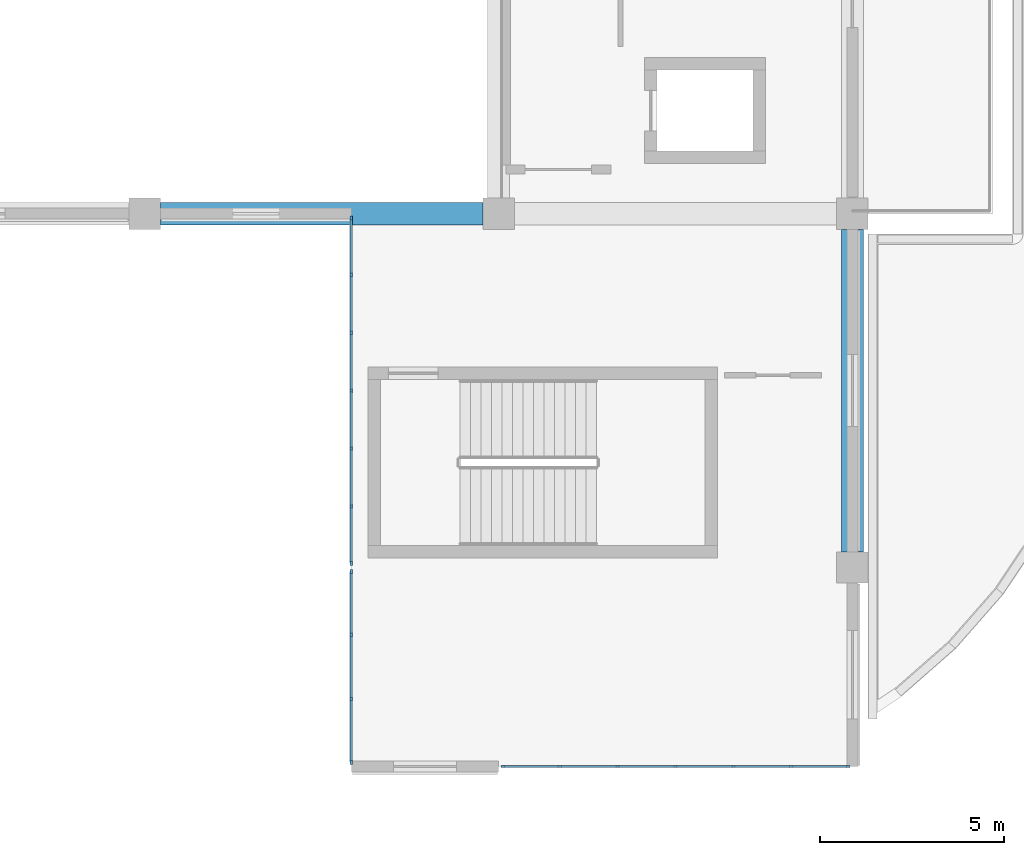
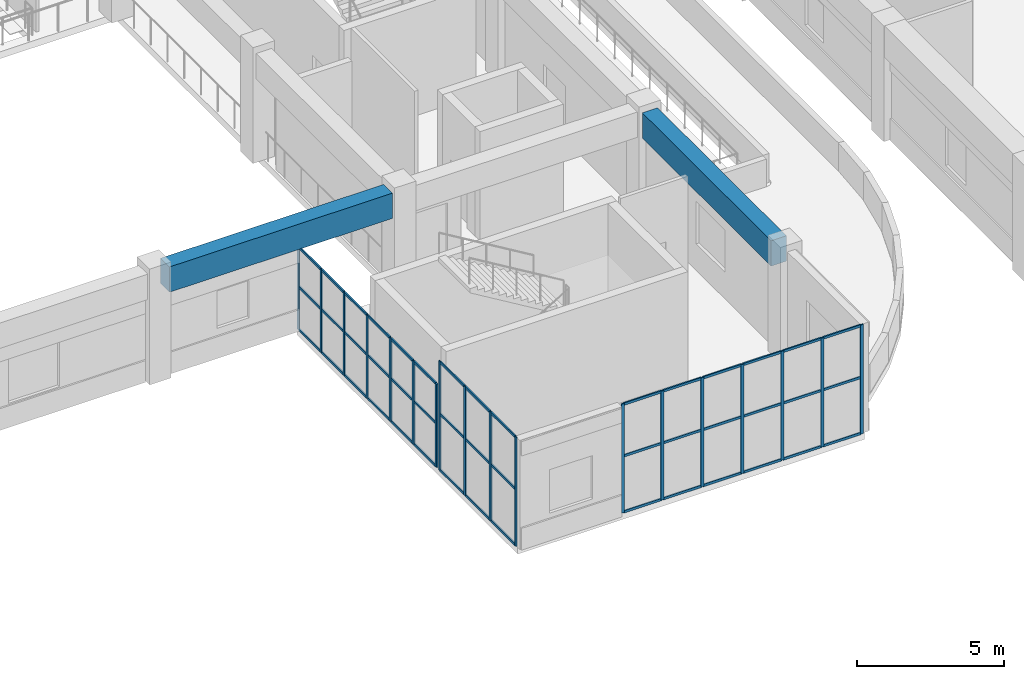
# One storey, part 6 of 67: 63 members, 2 beams, 3 elements without a shape of their own.
"""IFC4 building model written with IfcOpenShell, lengths in metres."""

import ifcopenshell
import ifcopenshell.guid

model = None  # the IFC model being written
_history = None  # IfcOwnerHistory: only IFC2X3 demands one
_inside = {}  # id of a spatial element -> (the spatial element, [elements in it])
_under = {}  # id of a project, library or spatial element -> (it, [spatial elements below it])
_declared = {}  # id of a project -> (the project, [libraries it declares])
_typed = {}  # id of a type object -> (the type object, [elements of that type])
_made_of = {}  # id of a material, layer set ... -> (it, [elements and type objects made of it])


def new_model(schema):
    """Start an empty IFC model of exactly this schema.

    Asked for "IFC4X3", IfcOpenShell would pick the latest addendum, in which some entities
    have other attributes; the version numbers below select the first issue.
    IFC2X3 requires an IfcOwnerHistory on every rooted entity: one is made here for all.
    """
    global model, _history
    if schema == "IFC4X3":
        model = ifcopenshell.file(schema_version=(4, 3, 0, 0))
    else:
        model = ifcopenshell.file(schema=schema)
    _inside.clear()
    _under.clear()
    _declared.clear()
    _typed.clear()
    _made_of.clear()
    _history = None
    if model.schema == "IFC2X3":
        org = make("IfcOrganization", Name="unknown")
        user = make(
            "IfcPersonAndOrganization",
            ThePerson=make("IfcPerson", FamilyName="unknown"),
            TheOrganization=org,
        )
        app = make(
            "IfcApplication",
            ApplicationDeveloper=org,
            Version="unknown",
            ApplicationFullName="unknown",
            ApplicationIdentifier="unknown",
        )
        _history = make(
            "IfcOwnerHistory",
            OwningUser=user,
            OwningApplication=app,
            ChangeAction="ADDED",
            CreationDate=0,
        )
    return model


def make(cls, **values):
    """One entity of the class cls with the attributes given. An attribute that is None is left unset."""
    return model.create_entity(
        cls, **{name: value for name, value in values.items() if value is not None}
    )


def rooted(cls, **values):
    """An entity with a GlobalId (a new one), such as an element, a storey or a relation."""
    return make(cls, GlobalId=ifcopenshell.guid.new(), OwnerHistory=_history, **values)


def si_unit(unit_type, name, prefix=None):
    """IfcSIUnit, for example si_unit("LENGTHUNIT", "METRE", prefix="MILLI")."""
    return make("IfcSIUnit", UnitType=unit_type, Prefix=prefix, Name=name)


def assignment(units):
    """IfcUnitAssignment: the units of a project."""
    return None if units is None else make("IfcUnitAssignment", Units=units)


def point(xyz):
    """IfcCartesianPoint."""
    return None if xyz is None else make("IfcCartesianPoint", Coordinates=xyz)


def direction(xyz):
    """IfcDirection."""
    return None if xyz is None else make("IfcDirection", DirectionRatios=xyz)


def frame(location, z_axis=None, x_axis=None):
    """IfcAxis2Placement3D, a coordinate frame: its origin and axes. An axis left out is left unset."""
    return make(
        "IfcAxis2Placement3D",
        Location=point(location),
        Axis=direction(z_axis),
        RefDirection=direction(x_axis),
    )


def frame_2d(location, x_axis=None):
    """IfcAxis2Placement2D, a coordinate frame in the plane: its origin and x axis."""
    return make(
        "IfcAxis2Placement2D", Location=point(location), RefDirection=direction(x_axis)
    )


def origin():
    """The frame at (0, 0, 0) with its axes left unset."""
    return frame((0.0, 0.0, 0.0))


def origin_2d():
    """The frame at (0, 0) in the plane with its x axis left unset."""
    return frame_2d((0.0, 0.0))


def place(relative_to, where):
    """IfcLocalPlacement: puts the frame where relative to a parent placement (None: the world)."""
    return make(
        "IfcLocalPlacement", PlacementRelTo=relative_to, RelativePlacement=where
    )


def context(
    kind, dimensions, precision=None, world=None, true_north=None, identifier=None
):
    """IfcGeometricRepresentationContext, for example the 3D "Model" context."""
    return make(
        "IfcGeometricRepresentationContext",
        ContextIdentifier=identifier,
        ContextType=kind,
        CoordinateSpaceDimension=dimensions,
        Precision=precision,
        WorldCoordinateSystem=world,
        TrueNorth=true_north,
    )


def subcontext(parent, identifier, kind, view, scale=None):
    """IfcGeometricRepresentationSubContext, for example "Body" below "Model"."""
    return make(
        "IfcGeometricRepresentationSubContext",
        ContextIdentifier=identifier,
        ContextType=kind,
        ParentContext=parent,
        TargetScale=scale,
        TargetView=view,
    )


def project(units=None, contexts=None):
    """IfcProject with its units and contexts."""
    return rooted(
        "IfcProject",
        Name="project",
        RepresentationContexts=contexts,
        UnitsInContext=assignment(units),
    )


def spatial(cls, under=None, at=None, **own):
    """A site, building, storey or space (cls), placed at a placement, below another one or the project."""
    s = rooted(cls, ObjectPlacement=at, **own)
    if under is not None:
        _under.setdefault(under.id(), (under, []))[1].append(s)
    return s


def profile(cls, at=None, kind="AREA", **sizes):
    """A parametric profile (cls). Its sizes go by their IFC names, for example OverallWidth=200.0."""
    return make(cls, ProfileType=kind, Position=at, **sizes)


def rectangle(**sizes):
    """IfcRectangleProfileDef."""
    return profile("IfcRectangleProfileDef", **sizes)


def extrude(swept, where, along, depth):
    """IfcExtrudedAreaSolid: the profile swept, set in the frame where, extruded along a direction by depth."""
    return make(
        "IfcExtrudedAreaSolid",
        SweptArea=swept,
        Position=where,
        ExtrudedDirection=direction(along),
        Depth=depth,
    )


def shape(context_of_items, identifier, shape_type, items):
    """IfcShapeRepresentation: the items that make up one representation, for example the "Body"."""
    return make(
        "IfcShapeRepresentation",
        ContextOfItems=context_of_items,
        RepresentationIdentifier=identifier,
        RepresentationType=shape_type,
        Items=items,
    )


def material(Name=None, Category=None):
    """IfcMaterial."""
    return make("IfcMaterial", Name=Name, Category=Category)


def layer(
    of_material, thickness, ventilated=None, Name=None, Category=None, Priority=None
):
    """IfcMaterialLayer: one layer of a wall or slab, of a material (None: an air gap)."""
    return make(
        "IfcMaterialLayer",
        Material=of_material,
        LayerThickness=thickness,
        IsVentilated=ventilated,
        Name=Name,
        Category=Category,
        Priority=Priority,
    )


def layer_set(layers, Name=None):
    """IfcMaterialLayerSet."""
    return make("IfcMaterialLayerSet", MaterialLayers=layers, LayerSetName=Name)


def material_profile(
    of_material, cross_section, Name=None, Category=None, Priority=None
):
    """IfcMaterialProfile: a cross section and its material."""
    return make(
        "IfcMaterialProfile",
        Name=Name,
        Material=of_material,
        Profile=cross_section,
        Priority=Priority,
        Category=Category,
    )


def profile_set(profiles, Name=None, composite=None):
    """IfcMaterialProfileSet."""
    return make(
        "IfcMaterialProfileSet",
        Name=Name,
        MaterialProfiles=profiles,
        CompositeProfile=composite,
    )


def made_of(thing, what):
    """Note that an element or type object is made of a material, layer set ...; save() writes the relation."""
    if what is not None:
        _made_of.setdefault(what.id(), (what, []))[1].append(thing)
    return thing


def type_object(cls, material=None, **own):
    """A type object (cls), such as IfcWallType, which elements share."""
    return made_of(rooted(cls, **own), material)


def element(
    cls,
    number,
    at=None,
    inside=None,
    cuts=None,
    type_object=None,
    material=None,
    context=None,
    identifier="Body",
    shape_type=None,
    held_by="IfcProductDefinitionShape",
    body=None,
    shapes=None,
    **own,
):
    """One element of the class cls, such as IfcWall. Its Tag is "e" and its number.

    at: its placement. inside: the storey or other place that contains it. cuts: it is an
    opening in that element (IfcRelVoidsElement). A single representation is given by context,
    identifier, shape_type and body (its items); several are given by shapes. held_by: the class
    of the entity that holds the representations. save() writes the other relations.
    """
    e = rooted(cls, Tag="e%d" % number, ObjectPlacement=at, **own)
    if body is not None:
        shapes = [shape(context, identifier, shape_type, body)]
    if shapes is not None:
        e.Representation = make(held_by, Representations=shapes)
    if inside is not None:
        _inside.setdefault(inside.id(), (inside, []))[1].append(e)
    if cuts is not None:
        rooted(
            "IfcRelVoidsElement", RelatingBuildingElement=cuts, RelatedOpeningElement=e
        )
    if type_object is not None:
        _typed.setdefault(type_object.id(), (type_object, []))[1].append(e)
    return made_of(e, material)


def aggregate(whole, parts):
    """IfcRelAggregates: a whole, such as a stair, and the parts it consists of."""
    return rooted("IfcRelAggregates", RelatingObject=whole, RelatedObjects=parts)


def save(model, path):
    """Write the relations noted so far, then the file.

    IfcRelAggregates (storeys below a building ...), IfcRelContainedInSpatialStructure (elements
    in a storey), IfcRelDefinesByType, IfcRelAssociatesMaterial and IfcRelDeclares: one each for
    every whole, place, type object, material and project.
    """
    for whole, parts in _under.values():
        aggregate(whole, parts)
    for where, things in _inside.values():
        rooted(
            "IfcRelContainedInSpatialStructure",
            RelatedElements=things,
            RelatingStructure=where,
        )
    for kind, things in _typed.values():
        rooted("IfcRelDefinesByType", RelatedObjects=things, RelatingType=kind)
    for what, things in _made_of.values():
        rooted("IfcRelAssociatesMaterial", RelatedObjects=things, RelatingMaterial=what)
    for by, libraries in _declared.values():
        rooted("IfcRelDeclares", RelatingContext=by, RelatedDefinitions=libraries)
    model.write(path)


model = new_model("IFC4")

# Units and contexts
model_context = context("Model", 3, precision=1e-05, world=origin(), true_north=direction((0.0, 1.0)))
body_context = subcontext(model_context, "Body", "Model", "MODEL_VIEW")
ifc_project = project(units=[si_unit("LENGTHUNIT", "METRE"), si_unit("AREAUNIT", "SQUARE_METRE"), si_unit("VOLUMEUNIT", "CUBIC_METRE"), si_unit("PLANEANGLEUNIT", "RADIAN"), si_unit("MASSUNIT", "GRAM", prefix="KILO")], contexts=[model_context])

# Site, building, storey
site_placement = place(None, origin())
site = spatial("IfcSite", under=ifc_project, at=site_placement, CompositionType="ELEMENT")
building_placement = place(site_placement, origin())
building = spatial("IfcBuilding", under=site, at=building_placement, Name="Cendralis Terraced Arcade", CompositionType="ELEMENT")
storey_placement = place(building_placement, frame((0.0, 0.0, 15.0)))
storey = spatial("IfcBuildingStorey", under=building, at=storey_placement, Name="L03", CompositionType="ELEMENT", Elevation=15.0)

# Beams
ifc_material_1 = material(Name="Concrete f'c 35 MPa", Category="concrete")
ifc_material_profile_1 = material_profile(ifc_material_1, rectangle(XDim=0.60009765625, YDim=1.050048828125, at=origin_2d()), Name="RC-BM-600x1050", Category="LoadBearing")
ifc_profile_set_1 = profile_set([ifc_material_profile_1], Name="Concrete f'c 35 MPa")
beam_type = type_object("IfcBeamType", Name="BM-600x1050", PredefinedType="JOIST", material=ifc_profile_set_1)
for number, where, z_axis, x_axis, name in (
    (1, (38.824951171875, 19.199951171875, 3.9951171875), (1.0, 0.0, 0.0), (0.0, 1.0, 0.0), "Reinforced Concrete Frame Beam BM-X-L04-C-5_6"),
    (2, (57.60009765625, 10.02490234375, 3.9951171875), (0.0, 1.0, 0.0), (-1.0, 0.0, 0.0), "Reinforced Concrete Frame Beam BM-Y-L04-7-B_C"),
):
    element("IfcBeam", number, at=place(storey_placement, frame(where, z_axis=z_axis, x_axis=x_axis)), inside=storey, type_object=beam_type, Name=name, PredefinedType="JOIST", context=body_context, shape_type="SweptSolid", body=[
        extrude(rectangle(XDim=0.60009765625, YDim=1.050048828125, at=origin_2d()), origin(), (0.0, 0.0, 1.0), 8.75),
    ])

# Curtain wall, members
ifc_material_2 = material(Name="Anodised aluminium EN AW-6063 T6", Category="aluminium")
ifc_layer = layer(ifc_material_2, 0.1201171875, Name="CW-STORE-B")
ifc_layer_set = layer_set([ifc_layer], Name="Anodised aluminium EN AW-6063 T6")
curtain_wall_type = type_object("IfcCurtainWallType", Name="CW-STORE-B", PredefinedType="USERDEFINED", material=ifc_layer_set)
curtain_wall_1_placement = place(storey_placement, origin())
curtain_wall_1 = element("IfcCurtainWall", 3, at=curtain_wall_1_placement, inside=storey, type_object=curtain_wall_type, Name="Exterior Storefront Glazing CW-L03-0280", ObjectType="STOREFRONT GLAZING", PredefinedType="USERDEFINED")
ifc_material_profile_2 = material_profile(ifc_material_2, rectangle(XDim=0.054931640625, YDim=0.1201171875, at=origin_2d()), Name="ALU-MUL-55x120")
ifc_profile_set_2 = profile_set([ifc_material_profile_2], Name="Anodised aluminium EN AW-6063 T6")
member_type_1 = type_object("IfcMemberType", Name="CW-STORE-B-MUL", PredefinedType="MULLION", material=ifc_profile_set_2)
member_1_placement = place(storey_placement, frame((57.482421875, 4.199951171875, 0.0), z_axis=(0.0, 0.0, 1.0), x_axis=(0.0, -1.0, 0.0)))
member_1 = element("IfcMember", 4, at=member_1_placement, type_object=member_type_1, Name="CW-S2 mullion 1", PredefinedType="MULLION", context=body_context, shape_type="SweptSolid", body=[
    extrude(rectangle(XDim=0.054931640625, YDim=0.1201171875, at=origin_2d()), origin(), (0.0, 0.0, 1.0), 4.52001953125),
])
member_2_placement = place(storey_placement, frame((55.93994140625, 4.199951171875, 0.0), z_axis=(0.0, 0.0, 1.0), x_axis=(0.0, -1.0, 0.0)))
member_2 = element("IfcMember", 5, at=member_2_placement, type_object=member_type_1, Name="CW-S2 mullion 2", PredefinedType="MULLION", context=body_context, shape_type="SweptSolid", body=[
    extrude(rectangle(XDim=0.054931640625, YDim=0.1201171875, at=origin_2d()), origin(), (0.0, 0.0, 1.0), 4.52001953125),
])
member_3_placement = place(storey_placement, frame((54.3701171875, 4.199951171875, 0.0), z_axis=(0.0, 0.0, 1.0), x_axis=(0.0, -1.0, 0.0)))
member_3 = element("IfcMember", 6, at=member_3_placement, type_object=member_type_1, Name="CW-S2 mullion 3", PredefinedType="MULLION", context=body_context, shape_type="SweptSolid", body=[
    extrude(rectangle(XDim=0.054931640625, YDim=0.1201171875, at=origin_2d()), origin(), (0.0, 0.0, 1.0), 4.52001953125),
])
member_4_placement = place(storey_placement, frame((52.800048828125, 4.199951171875, 0.0), z_axis=(0.0, 0.0, 1.0), x_axis=(0.0, -1.0, 0.0)))
member_4 = element("IfcMember", 7, at=member_4_placement, type_object=member_type_1, Name="CW-S2 mullion 4", PredefinedType="MULLION", context=body_context, shape_type="SweptSolid", body=[
    extrude(rectangle(XDim=0.054931640625, YDim=0.1201171875, at=origin_2d()), origin(), (0.0, 0.0, 1.0), 4.52001953125),
])
member_5_placement = place(storey_placement, frame((51.22998046875, 4.199951171875, 0.0), z_axis=(0.0, 0.0, 1.0), x_axis=(0.0, -1.0, 0.0)))
member_5 = element("IfcMember", 8, at=member_5_placement, type_object=member_type_1, Name="CW-S2 mullion 5", PredefinedType="MULLION", context=body_context, shape_type="SweptSolid", body=[
    extrude(rectangle(XDim=0.054931640625, YDim=0.1201171875, at=origin_2d()), origin(), (0.0, 0.0, 1.0), 4.52001953125),
])
member_6_placement = place(storey_placement, frame((49.659912109375, 4.199951171875, 0.0), z_axis=(0.0, 0.0, 1.0), x_axis=(0.0, -1.0, 0.0)))
member_6 = element("IfcMember", 9, at=member_6_placement, type_object=member_type_1, Name="CW-S2 mullion 6", PredefinedType="MULLION", context=body_context, shape_type="SweptSolid", body=[
    extrude(rectangle(XDim=0.054931640625, YDim=0.1201171875, at=origin_2d()), origin(), (0.0, 0.0, 1.0), 4.52001953125),
])
member_7_placement = place(storey_placement, frame((48.117431640625, 4.199951171875, 0.0), z_axis=(0.0, 0.0, 1.0), x_axis=(0.0, -1.0, 0.0)))
member_7 = element("IfcMember", 10, at=member_7_placement, type_object=member_type_1, Name="CW-S2 mullion 7", PredefinedType="MULLION", context=body_context, shape_type="SweptSolid", body=[
    extrude(rectangle(XDim=0.054931640625, YDim=0.1201171875, at=origin_2d()), origin(), (0.0, 0.0, 1.0), 4.52001953125),
])

curtain_wall_2_placement = place(storey_placement, origin())
curtain_wall_2 = element("IfcCurtainWall", 11, at=curtain_wall_2_placement, inside=storey, type_object=curtain_wall_type, Name="Exterior Storefront Glazing CW-L03-0281", ObjectType="STOREFRONT GLAZING", PredefinedType="USERDEFINED")
member_8_placement = place(storey_placement, frame((44.0, 4.3173828125, 0.0), z_axis=(0.0, 0.0, 1.0), x_axis=(-1.0, 0.0, 0.0)))
member_8 = element("IfcMember", 12, at=member_8_placement, type_object=member_type_1, Name="CW-S2 mullion 1", PredefinedType="MULLION", context=body_context, shape_type="SweptSolid", body=[
    extrude(rectangle(XDim=0.054931640625, YDim=0.1201171875, at=origin_2d()), origin(), (0.0, 0.0, 1.0), 4.52001953125),
])
member_9_placement = place(storey_placement, frame((44.0, 6.030029296875, 0.0), z_axis=(0.0, 0.0, 1.0), x_axis=(-1.0, 0.0, 0.0)))
member_9 = element("IfcMember", 13, at=member_9_placement, type_object=member_type_1, Name="CW-S2 mullion 2", PredefinedType="MULLION", context=body_context, shape_type="SweptSolid", body=[
    extrude(rectangle(XDim=0.054931640625, YDim=0.1201171875, at=origin_2d()), origin(), (0.0, 0.0, 1.0), 4.52001953125),
])
member_10_placement = place(storey_placement, frame((44.0, 7.77001953125, 0.0), z_axis=(0.0, 0.0, 1.0), x_axis=(-1.0, 0.0, 0.0)))
member_10 = element("IfcMember", 14, at=member_10_placement, type_object=member_type_1, Name="CW-S2 mullion 3", PredefinedType="MULLION", context=body_context, shape_type="SweptSolid", body=[
    extrude(rectangle(XDim=0.054931640625, YDim=0.1201171875, at=origin_2d()), origin(), (0.0, 0.0, 1.0), 4.52001953125),
])
member_11_placement = place(storey_placement, frame((44.0, 9.482421875, 0.0), z_axis=(0.0, 0.0, 1.0), x_axis=(-1.0, 0.0, 0.0)))
member_11 = element("IfcMember", 15, at=member_11_placement, type_object=member_type_1, Name="CW-S2 mullion 4", PredefinedType="MULLION", context=body_context, shape_type="SweptSolid", body=[
    extrude(rectangle(XDim=0.054931640625, YDim=0.1201171875, at=origin_2d()), origin(), (0.0, 0.0, 1.0), 4.52001953125),
])

curtain_wall_3_placement = place(storey_placement, origin())
curtain_wall_3 = element("IfcCurtainWall", 16, at=curtain_wall_3_placement, inside=storey, type_object=curtain_wall_type, Name="Exterior Storefront Glazing CW-L03-0282", ObjectType="STOREFRONT GLAZING", PredefinedType="USERDEFINED")
member_12_placement = place(storey_placement, frame((44.0, 9.717529296875, 0.0), z_axis=(0.0, 0.0, 1.0), x_axis=(-1.0, 0.0, 0.0)))
member_12 = element("IfcMember", 17, at=member_12_placement, type_object=member_type_1, Name="CW-S2 mullion 1", PredefinedType="MULLION", context=body_context, shape_type="SweptSolid", body=[
    extrude(rectangle(XDim=0.054931640625, YDim=0.1201171875, at=origin_2d()), origin(), (0.0, 0.0, 1.0), 3.4599609375),
])
member_13_placement = place(storey_placement, frame((44.0, 11.260009765625, 0.0), z_axis=(0.0, 0.0, 1.0), x_axis=(-1.0, 0.0, 0.0)))
member_13 = element("IfcMember", 18, at=member_13_placement, type_object=member_type_1, Name="CW-S2 mullion 2", PredefinedType="MULLION", context=body_context, shape_type="SweptSolid", body=[
    extrude(rectangle(XDim=0.054931640625, YDim=0.1201171875, at=origin_2d()), origin(), (0.0, 0.0, 1.0), 3.4599609375),
])
member_14_placement = place(storey_placement, frame((44.0, 12.830078125, 0.0), z_axis=(0.0, 0.0, 1.0), x_axis=(-1.0, 0.0, 0.0)))
member_14 = element("IfcMember", 19, at=member_14_placement, type_object=member_type_1, Name="CW-S2 mullion 3", PredefinedType="MULLION", context=body_context, shape_type="SweptSolid", body=[
    extrude(rectangle(XDim=0.054931640625, YDim=0.1201171875, at=origin_2d()), origin(), (0.0, 0.0, 1.0), 3.4599609375),
])
member_15_placement = place(storey_placement, frame((44.0, 14.39990234375, 0.0), z_axis=(0.0, 0.0, 1.0), x_axis=(-1.0, 0.0, 0.0)))
member_15 = element("IfcMember", 20, at=member_15_placement, type_object=member_type_1, Name="CW-S2 mullion 4", PredefinedType="MULLION", context=body_context, shape_type="SweptSolid", body=[
    extrude(rectangle(XDim=0.054931640625, YDim=0.1201171875, at=origin_2d()), origin(), (0.0, 0.0, 1.0), 3.4599609375),
])
member_16_placement = place(storey_placement, frame((44.0, 15.969970703125, 0.0), z_axis=(0.0, 0.0, 1.0), x_axis=(-1.0, 0.0, 0.0)))
member_16 = element("IfcMember", 21, at=member_16_placement, type_object=member_type_1, Name="CW-S2 mullion 5", PredefinedType="MULLION", context=body_context, shape_type="SweptSolid", body=[
    extrude(rectangle(XDim=0.054931640625, YDim=0.1201171875, at=origin_2d()), origin(), (0.0, 0.0, 1.0), 3.4599609375),
])
member_17_placement = place(storey_placement, frame((44.0, 17.5400390625, 0.0), z_axis=(0.0, 0.0, 1.0), x_axis=(-1.0, 0.0, 0.0)))
member_17 = element("IfcMember", 22, at=member_17_placement, type_object=member_type_1, Name="CW-S2 mullion 6", PredefinedType="MULLION", context=body_context, shape_type="SweptSolid", body=[
    extrude(rectangle(XDim=0.054931640625, YDim=0.1201171875, at=origin_2d()), origin(), (0.0, 0.0, 1.0), 3.4599609375),
])
member_18_placement = place(storey_placement, frame((44.0, 19.08251953125, 0.0), z_axis=(0.0, 0.0, 1.0), x_axis=(-1.0, 0.0, 0.0)))
member_18 = element("IfcMember", 23, at=member_18_placement, type_object=member_type_1, Name="CW-S2 mullion 7", PredefinedType="MULLION", context=body_context, shape_type="SweptSolid", body=[
    extrude(rectangle(XDim=0.054931640625, YDim=0.1201171875, at=origin_2d()), origin(), (0.0, 0.0, 1.0), 3.4599609375),
])

# Member
ifc_material_profile_3 = material_profile(ifc_material_2, rectangle(XDim=0.054931640625, YDim=0.10009765625, at=origin_2d()), Name="ALU-TRN-55x100")
ifc_profile_set_3 = profile_set([ifc_material_profile_3], Name="Anodised aluminium EN AW-6063 T6")
member_type_2 = type_object("IfcMemberType", Name="CW-STORE-B-TRN", PredefinedType="USERDEFINED", material=ifc_profile_set_3)
member_19_placement = place(storey_placement, frame((57.455078125, 4.199951171875, 0.027587890625), z_axis=(-1.0, 0.0, 0.0), x_axis=(0.0, -1.0, 0.0)))
member_19 = element("IfcMember", 24, at=member_19_placement, type_object=member_type_2, Name="CW-S2 transom 1.1", ObjectType="TRANSOM", PredefinedType="USERDEFINED", context=body_context, shape_type="SweptSolid", body=[
    extrude(rectangle(XDim=0.054931640625, YDim=0.10009765625, at=origin_2d()), origin(), (0.0, 0.0, 1.0), 1.487548828125),
])

member_20_placement = place(storey_placement, frame((57.455078125, 4.199951171875, 2.350341796875), z_axis=(-1.0, 0.0, 0.0), x_axis=(0.0, -1.0, 0.0)))
member_20 = element("IfcMember", 25, at=member_20_placement, type_object=member_type_2, Name="CW-S2 transom 1.2", ObjectType="TRANSOM", PredefinedType="USERDEFINED", context=body_context, shape_type="SweptSolid", body=[
    extrude(rectangle(XDim=0.054931640625, YDim=0.10009765625, at=origin_2d()), origin(), (0.0, 0.0, 1.0), 1.487548828125),
])

member_21_placement = place(storey_placement, frame((57.455078125, 4.199951171875, 4.492431640625), z_axis=(-1.0, 0.0, 0.0), x_axis=(0.0, -1.0, 0.0)))
member_21 = element("IfcMember", 26, at=member_21_placement, type_object=member_type_2, Name="CW-S2 transom 1.3", ObjectType="TRANSOM", PredefinedType="USERDEFINED", context=body_context, shape_type="SweptSolid", body=[
    extrude(rectangle(XDim=0.054931640625, YDim=0.10009765625, at=origin_2d()), origin(), (0.0, 0.0, 1.0), 1.487548828125),
])

member_22_placement = place(storey_placement, frame((55.91259765625, 4.199951171875, 0.027587890625), z_axis=(-1.0, 0.0, 0.0), x_axis=(0.0, -1.0, 0.0)))
member_22 = element("IfcMember", 27, at=member_22_placement, type_object=member_type_2, Name="CW-S2 transom 2.1", ObjectType="TRANSOM", PredefinedType="USERDEFINED", context=body_context, shape_type="SweptSolid", body=[
    extrude(rectangle(XDim=0.054931640625, YDim=0.10009765625, at=origin_2d()), origin(), (0.0, 0.0, 1.0), 1.51513671875),
])

member_23_placement = place(storey_placement, frame((55.91259765625, 4.199951171875, 2.350341796875), z_axis=(-1.0, 0.0, 0.0), x_axis=(0.0, -1.0, 0.0)))
member_23 = element("IfcMember", 28, at=member_23_placement, type_object=member_type_2, Name="CW-S2 transom 2.2", ObjectType="TRANSOM", PredefinedType="USERDEFINED", context=body_context, shape_type="SweptSolid", body=[
    extrude(rectangle(XDim=0.054931640625, YDim=0.10009765625, at=origin_2d()), origin(), (0.0, 0.0, 1.0), 1.51513671875),
])

member_24_placement = place(storey_placement, frame((55.91259765625, 4.199951171875, 4.492431640625), z_axis=(-1.0, 0.0, 0.0), x_axis=(0.0, -1.0, 0.0)))
member_24 = element("IfcMember", 29, at=member_24_placement, type_object=member_type_2, Name="CW-S2 transom 2.3", ObjectType="TRANSOM", PredefinedType="USERDEFINED", context=body_context, shape_type="SweptSolid", body=[
    extrude(rectangle(XDim=0.054931640625, YDim=0.10009765625, at=origin_2d()), origin(), (0.0, 0.0, 1.0), 1.51513671875),
])

member_25_placement = place(storey_placement, frame((54.342529296875, 4.199951171875, 0.027587890625), z_axis=(-1.0, 0.0, 0.0), x_axis=(0.0, -1.0, 0.0)))
member_25 = element("IfcMember", 30, at=member_25_placement, type_object=member_type_2, Name="CW-S2 transom 3.1", ObjectType="TRANSOM", PredefinedType="USERDEFINED", context=body_context, shape_type="SweptSolid", body=[
    extrude(rectangle(XDim=0.054931640625, YDim=0.10009765625, at=origin_2d()), origin(), (0.0, 0.0, 1.0), 1.51513671875),
])

member_26_placement = place(storey_placement, frame((54.342529296875, 4.199951171875, 2.350341796875), z_axis=(-1.0, 0.0, 0.0), x_axis=(0.0, -1.0, 0.0)))
member_26 = element("IfcMember", 31, at=member_26_placement, type_object=member_type_2, Name="CW-S2 transom 3.2", ObjectType="TRANSOM", PredefinedType="USERDEFINED", context=body_context, shape_type="SweptSolid", body=[
    extrude(rectangle(XDim=0.054931640625, YDim=0.10009765625, at=origin_2d()), origin(), (0.0, 0.0, 1.0), 1.51513671875),
])

member_27_placement = place(storey_placement, frame((54.342529296875, 4.199951171875, 4.492431640625), z_axis=(-1.0, 0.0, 0.0), x_axis=(0.0, -1.0, 0.0)))
member_27 = element("IfcMember", 32, at=member_27_placement, type_object=member_type_2, Name="CW-S2 transom 3.3", ObjectType="TRANSOM", PredefinedType="USERDEFINED", context=body_context, shape_type="SweptSolid", body=[
    extrude(rectangle(XDim=0.054931640625, YDim=0.10009765625, at=origin_2d()), origin(), (0.0, 0.0, 1.0), 1.51513671875),
])

member_28_placement = place(storey_placement, frame((52.7724609375, 4.199951171875, 0.027587890625), z_axis=(-1.0, 0.0, 0.0), x_axis=(0.0, -1.0, 0.0)))
member_28 = element("IfcMember", 33, at=member_28_placement, type_object=member_type_2, Name="CW-S2 transom 4.1", ObjectType="TRANSOM", PredefinedType="USERDEFINED", context=body_context, shape_type="SweptSolid", body=[
    extrude(rectangle(XDim=0.054931640625, YDim=0.10009765625, at=origin_2d()), origin(), (0.0, 0.0, 1.0), 1.514892578125),
])

member_29_placement = place(storey_placement, frame((52.7724609375, 4.199951171875, 2.350341796875), z_axis=(-1.0, 0.0, 0.0), x_axis=(0.0, -1.0, 0.0)))
member_29 = element("IfcMember", 34, at=member_29_placement, type_object=member_type_2, Name="CW-S2 transom 4.2", ObjectType="TRANSOM", PredefinedType="USERDEFINED", context=body_context, shape_type="SweptSolid", body=[
    extrude(rectangle(XDim=0.054931640625, YDim=0.10009765625, at=origin_2d()), origin(), (0.0, 0.0, 1.0), 1.514892578125),
])

member_30_placement = place(storey_placement, frame((52.7724609375, 4.199951171875, 4.492431640625), z_axis=(-1.0, 0.0, 0.0), x_axis=(0.0, -1.0, 0.0)))
member_30 = element("IfcMember", 35, at=member_30_placement, type_object=member_type_2, Name="CW-S2 transom 4.3", ObjectType="TRANSOM", PredefinedType="USERDEFINED", context=body_context, shape_type="SweptSolid", body=[
    extrude(rectangle(XDim=0.054931640625, YDim=0.10009765625, at=origin_2d()), origin(), (0.0, 0.0, 1.0), 1.514892578125),
])

member_31_placement = place(storey_placement, frame((51.202392578125, 4.199951171875, 0.027587890625), z_axis=(-1.0, 0.0, 0.0), x_axis=(0.0, -1.0, 0.0)))
member_31 = element("IfcMember", 36, at=member_31_placement, type_object=member_type_2, Name="CW-S2 transom 5.1", ObjectType="TRANSOM", PredefinedType="USERDEFINED", context=body_context, shape_type="SweptSolid", body=[
    extrude(rectangle(XDim=0.054931640625, YDim=0.10009765625, at=origin_2d()), origin(), (0.0, 0.0, 1.0), 1.514892578125),
])

member_32_placement = place(storey_placement, frame((51.202392578125, 4.199951171875, 2.350341796875), z_axis=(-1.0, 0.0, 0.0), x_axis=(0.0, -1.0, 0.0)))
member_32 = element("IfcMember", 37, at=member_32_placement, type_object=member_type_2, Name="CW-S2 transom 5.2", ObjectType="TRANSOM", PredefinedType="USERDEFINED", context=body_context, shape_type="SweptSolid", body=[
    extrude(rectangle(XDim=0.054931640625, YDim=0.10009765625, at=origin_2d()), origin(), (0.0, 0.0, 1.0), 1.514892578125),
])

member_33_placement = place(storey_placement, frame((51.202392578125, 4.199951171875, 4.492431640625), z_axis=(-1.0, 0.0, 0.0), x_axis=(0.0, -1.0, 0.0)))
member_33 = element("IfcMember", 38, at=member_33_placement, type_object=member_type_2, Name="CW-S2 transom 5.3", ObjectType="TRANSOM", PredefinedType="USERDEFINED", context=body_context, shape_type="SweptSolid", body=[
    extrude(rectangle(XDim=0.054931640625, YDim=0.10009765625, at=origin_2d()), origin(), (0.0, 0.0, 1.0), 1.514892578125),
])

member_34_placement = place(storey_placement, frame((49.632568359375, 4.199951171875, 0.027587890625), z_axis=(-1.0, 0.0, 0.0), x_axis=(0.0, -1.0, 0.0)))
member_34 = element("IfcMember", 39, at=member_34_placement, type_object=member_type_2, Name="CW-S2 transom 6.1", ObjectType="TRANSOM", PredefinedType="USERDEFINED", context=body_context, shape_type="SweptSolid", body=[
    extrude(rectangle(XDim=0.054931640625, YDim=0.10009765625, at=origin_2d()), origin(), (0.0, 0.0, 1.0), 1.487548828125),
])

member_35_placement = place(storey_placement, frame((49.632568359375, 4.199951171875, 2.350341796875), z_axis=(-1.0, 0.0, 0.0), x_axis=(0.0, -1.0, 0.0)))
member_35 = element("IfcMember", 40, at=member_35_placement, type_object=member_type_2, Name="CW-S2 transom 6.2", ObjectType="TRANSOM", PredefinedType="USERDEFINED", context=body_context, shape_type="SweptSolid", body=[
    extrude(rectangle(XDim=0.054931640625, YDim=0.10009765625, at=origin_2d()), origin(), (0.0, 0.0, 1.0), 1.487548828125),
])

member_36_placement = place(storey_placement, frame((49.632568359375, 4.199951171875, 4.492431640625), z_axis=(-1.0, 0.0, 0.0), x_axis=(0.0, -1.0, 0.0)))
member_36 = element("IfcMember", 41, at=member_36_placement, type_object=member_type_2, Name="CW-S2 transom 6.3", ObjectType="TRANSOM", PredefinedType="USERDEFINED", context=body_context, shape_type="SweptSolid", body=[
    extrude(rectangle(XDim=0.054931640625, YDim=0.10009765625, at=origin_2d()), origin(), (0.0, 0.0, 1.0), 1.487548828125),
])

aggregate(curtain_wall_1, [member_1, member_2, member_3, member_4, member_5, member_6, member_7, member_19, member_20, member_21, member_22, member_23, member_24, member_25, member_26, member_27, member_28, member_29, member_30, member_31, member_32, member_33, member_34, member_35, member_36])

member_37_placement = place(storey_placement, frame((44.0, 4.344970703125, 0.027587890625), z_axis=(0.0, 1.0, 0.0), x_axis=(-1.0, 0.0, 0.0)))
member_37 = element("IfcMember", 42, at=member_37_placement, type_object=member_type_2, Name="CW-S2 transom 1.1", ObjectType="TRANSOM", PredefinedType="USERDEFINED", context=body_context, shape_type="SweptSolid", body=[
    extrude(rectangle(XDim=0.054931640625, YDim=0.10009765625, at=origin_2d()), origin(), (0.0, 0.0, 1.0), 1.657470703125),
])

member_38_placement = place(storey_placement, frame((44.0, 4.344970703125, 2.350341796875), z_axis=(0.0, 1.0, 0.0), x_axis=(-1.0, 0.0, 0.0)))
member_38 = element("IfcMember", 43, at=member_38_placement, type_object=member_type_2, Name="CW-S2 transom 1.2", ObjectType="TRANSOM", PredefinedType="USERDEFINED", context=body_context, shape_type="SweptSolid", body=[
    extrude(rectangle(XDim=0.054931640625, YDim=0.10009765625, at=origin_2d()), origin(), (0.0, 0.0, 1.0), 1.657470703125),
])

member_39_placement = place(storey_placement, frame((44.0, 4.344970703125, 4.492431640625), z_axis=(0.0, 1.0, 0.0), x_axis=(-1.0, 0.0, 0.0)))
member_39 = element("IfcMember", 44, at=member_39_placement, type_object=member_type_2, Name="CW-S2 transom 1.3", ObjectType="TRANSOM", PredefinedType="USERDEFINED", context=body_context, shape_type="SweptSolid", body=[
    extrude(rectangle(XDim=0.054931640625, YDim=0.10009765625, at=origin_2d()), origin(), (0.0, 0.0, 1.0), 1.657470703125),
])

member_40_placement = place(storey_placement, frame((44.0, 6.0576171875, 0.027587890625), z_axis=(0.0, 1.0, 0.0), x_axis=(-1.0, 0.0, 0.0)))
member_40 = element("IfcMember", 45, at=member_40_placement, type_object=member_type_2, Name="CW-S2 transom 2.1", ObjectType="TRANSOM", PredefinedType="USERDEFINED", context=body_context, shape_type="SweptSolid", body=[
    extrude(rectangle(XDim=0.054931640625, YDim=0.10009765625, at=origin_2d()), origin(), (0.0, 0.0, 1.0), 1.684814453125),
])

member_41_placement = place(storey_placement, frame((44.0, 6.0576171875, 2.350341796875), z_axis=(0.0, 1.0, 0.0), x_axis=(-1.0, 0.0, 0.0)))
member_41 = element("IfcMember", 46, at=member_41_placement, type_object=member_type_2, Name="CW-S2 transom 2.2", ObjectType="TRANSOM", PredefinedType="USERDEFINED", context=body_context, shape_type="SweptSolid", body=[
    extrude(rectangle(XDim=0.054931640625, YDim=0.10009765625, at=origin_2d()), origin(), (0.0, 0.0, 1.0), 1.684814453125),
])

member_42_placement = place(storey_placement, frame((44.0, 6.0576171875, 4.492431640625), z_axis=(0.0, 1.0, 0.0), x_axis=(-1.0, 0.0, 0.0)))
member_42 = element("IfcMember", 47, at=member_42_placement, type_object=member_type_2, Name="CW-S2 transom 2.3", ObjectType="TRANSOM", PredefinedType="USERDEFINED", context=body_context, shape_type="SweptSolid", body=[
    extrude(rectangle(XDim=0.054931640625, YDim=0.10009765625, at=origin_2d()), origin(), (0.0, 0.0, 1.0), 1.684814453125),
])

member_43_placement = place(storey_placement, frame((44.0, 7.797607421875, 0.027587890625), z_axis=(0.0, 1.0, 0.0), x_axis=(-1.0, 0.0, 0.0)))
member_43 = element("IfcMember", 48, at=member_43_placement, type_object=member_type_2, Name="CW-S2 transom 3.1", ObjectType="TRANSOM", PredefinedType="USERDEFINED", context=body_context, shape_type="SweptSolid", body=[
    extrude(rectangle(XDim=0.054931640625, YDim=0.10009765625, at=origin_2d()), origin(), (0.0, 0.0, 1.0), 1.657470703125),
])

member_44_placement = place(storey_placement, frame((44.0, 7.797607421875, 2.350341796875), z_axis=(0.0, 1.0, 0.0), x_axis=(-1.0, 0.0, 0.0)))
member_44 = element("IfcMember", 49, at=member_44_placement, type_object=member_type_2, Name="CW-S2 transom 3.2", ObjectType="TRANSOM", PredefinedType="USERDEFINED", context=body_context, shape_type="SweptSolid", body=[
    extrude(rectangle(XDim=0.054931640625, YDim=0.10009765625, at=origin_2d()), origin(), (0.0, 0.0, 1.0), 1.657470703125),
])

member_45_placement = place(storey_placement, frame((44.0, 7.797607421875, 4.492431640625), z_axis=(0.0, 1.0, 0.0), x_axis=(-1.0, 0.0, 0.0)))
member_45 = element("IfcMember", 50, at=member_45_placement, type_object=member_type_2, Name="CW-S2 transom 3.3", ObjectType="TRANSOM", PredefinedType="USERDEFINED", context=body_context, shape_type="SweptSolid", body=[
    extrude(rectangle(XDim=0.054931640625, YDim=0.10009765625, at=origin_2d()), origin(), (0.0, 0.0, 1.0), 1.657470703125),
])

aggregate(curtain_wall_2, [member_8, member_9, member_10, member_11, member_37, member_38, member_39, member_40, member_41, member_42, member_43, member_44, member_45])

member_46_placement = place(storey_placement, frame((44.0, 9.7451171875, 0.027587890625), z_axis=(0.0, 1.0, 0.0), x_axis=(-1.0, 0.0, 0.0)))
member_46 = element("IfcMember", 51, at=member_46_placement, type_object=member_type_2, Name="CW-S2 transom 1.1", ObjectType="TRANSOM", PredefinedType="USERDEFINED", context=body_context, shape_type="SweptSolid", body=[
    extrude(rectangle(XDim=0.054931640625, YDim=0.10009765625, at=origin_2d()), origin(), (0.0, 0.0, 1.0), 1.4873046875),
])

member_47_placement = place(storey_placement, frame((44.0, 9.7451171875, 1.79931640625), z_axis=(0.0, 1.0, 0.0), x_axis=(-1.0, 0.0, 0.0)))
member_47 = element("IfcMember", 52, at=member_47_placement, type_object=member_type_2, Name="CW-S2 transom 1.2", ObjectType="TRANSOM", PredefinedType="USERDEFINED", context=body_context, shape_type="SweptSolid", body=[
    extrude(rectangle(XDim=0.054931640625, YDim=0.10009765625, at=origin_2d()), origin(), (0.0, 0.0, 1.0), 1.4873046875),
])

member_48_placement = place(storey_placement, frame((44.0, 9.7451171875, 3.4326171875), z_axis=(0.0, 1.0, 0.0), x_axis=(-1.0, 0.0, 0.0)))
member_48 = element("IfcMember", 53, at=member_48_placement, type_object=member_type_2, Name="CW-S2 transom 1.3", ObjectType="TRANSOM", PredefinedType="USERDEFINED", context=body_context, shape_type="SweptSolid", body=[
    extrude(rectangle(XDim=0.054931640625, YDim=0.10009765625, at=origin_2d()), origin(), (0.0, 0.0, 1.0), 1.4873046875),
])

member_49_placement = place(storey_placement, frame((44.0, 11.28759765625, 0.027587890625), z_axis=(0.0, 1.0, 0.0), x_axis=(-1.0, 0.0, 0.0)))
member_49 = element("IfcMember", 54, at=member_49_placement, type_object=member_type_2, Name="CW-S2 transom 2.1", ObjectType="TRANSOM", PredefinedType="USERDEFINED", context=body_context, shape_type="SweptSolid", body=[
    extrude(rectangle(XDim=0.054931640625, YDim=0.10009765625, at=origin_2d()), origin(), (0.0, 0.0, 1.0), 1.514892578125),
])

member_50_placement = place(storey_placement, frame((44.0, 11.28759765625, 1.79931640625), z_axis=(0.0, 1.0, 0.0), x_axis=(-1.0, 0.0, 0.0)))
member_50 = element("IfcMember", 55, at=member_50_placement, type_object=member_type_2, Name="CW-S2 transom 2.2", ObjectType="TRANSOM", PredefinedType="USERDEFINED", context=body_context, shape_type="SweptSolid", body=[
    extrude(rectangle(XDim=0.054931640625, YDim=0.10009765625, at=origin_2d()), origin(), (0.0, 0.0, 1.0), 1.514892578125),
])

member_51_placement = place(storey_placement, frame((44.0, 11.28759765625, 3.4326171875), z_axis=(0.0, 1.0, 0.0), x_axis=(-1.0, 0.0, 0.0)))
member_51 = element("IfcMember", 56, at=member_51_placement, type_object=member_type_2, Name="CW-S2 transom 2.3", ObjectType="TRANSOM", PredefinedType="USERDEFINED", context=body_context, shape_type="SweptSolid", body=[
    extrude(rectangle(XDim=0.054931640625, YDim=0.10009765625, at=origin_2d()), origin(), (0.0, 0.0, 1.0), 1.514892578125),
])

member_52_placement = place(storey_placement, frame((44.0, 12.857421875, 0.027587890625), z_axis=(0.0, 1.0, 0.0), x_axis=(-1.0, 0.0, 0.0)))
member_52 = element("IfcMember", 57, at=member_52_placement, type_object=member_type_2, Name="CW-S2 transom 3.1", ObjectType="TRANSOM", PredefinedType="USERDEFINED", context=body_context, shape_type="SweptSolid", body=[
    extrude(rectangle(XDim=0.054931640625, YDim=0.10009765625, at=origin_2d()), origin(), (0.0, 0.0, 1.0), 1.51513671875),
])

member_53_placement = place(storey_placement, frame((44.0, 12.857421875, 1.79931640625), z_axis=(0.0, 1.0, 0.0), x_axis=(-1.0, 0.0, 0.0)))
member_53 = element("IfcMember", 58, at=member_53_placement, type_object=member_type_2, Name="CW-S2 transom 3.2", ObjectType="TRANSOM", PredefinedType="USERDEFINED", context=body_context, shape_type="SweptSolid", body=[
    extrude(rectangle(XDim=0.054931640625, YDim=0.10009765625, at=origin_2d()), origin(), (0.0, 0.0, 1.0), 1.51513671875),
])

member_54_placement = place(storey_placement, frame((44.0, 12.857421875, 3.4326171875), z_axis=(0.0, 1.0, 0.0), x_axis=(-1.0, 0.0, 0.0)))
member_54 = element("IfcMember", 59, at=member_54_placement, type_object=member_type_2, Name="CW-S2 transom 3.3", ObjectType="TRANSOM", PredefinedType="USERDEFINED", context=body_context, shape_type="SweptSolid", body=[
    extrude(rectangle(XDim=0.054931640625, YDim=0.10009765625, at=origin_2d()), origin(), (0.0, 0.0, 1.0), 1.51513671875),
])

member_55_placement = place(storey_placement, frame((44.0, 14.427490234375, 0.027587890625), z_axis=(0.0, 1.0, 0.0), x_axis=(-1.0, 0.0, 0.0)))
member_55 = element("IfcMember", 60, at=member_55_placement, type_object=member_type_2, Name="CW-S2 transom 4.1", ObjectType="TRANSOM", PredefinedType="USERDEFINED", context=body_context, shape_type="SweptSolid", body=[
    extrude(rectangle(XDim=0.054931640625, YDim=0.10009765625, at=origin_2d()), origin(), (0.0, 0.0, 1.0), 1.514892578125),
])

member_56_placement = place(storey_placement, frame((44.0, 14.427490234375, 1.79931640625), z_axis=(0.0, 1.0, 0.0), x_axis=(-1.0, 0.0, 0.0)))
member_56 = element("IfcMember", 61, at=member_56_placement, type_object=member_type_2, Name="CW-S2 transom 4.2", ObjectType="TRANSOM", PredefinedType="USERDEFINED", context=body_context, shape_type="SweptSolid", body=[
    extrude(rectangle(XDim=0.054931640625, YDim=0.10009765625, at=origin_2d()), origin(), (0.0, 0.0, 1.0), 1.514892578125),
])

member_57_placement = place(storey_placement, frame((44.0, 14.427490234375, 3.4326171875), z_axis=(0.0, 1.0, 0.0), x_axis=(-1.0, 0.0, 0.0)))
member_57 = element("IfcMember", 62, at=member_57_placement, type_object=member_type_2, Name="CW-S2 transom 4.3", ObjectType="TRANSOM", PredefinedType="USERDEFINED", context=body_context, shape_type="SweptSolid", body=[
    extrude(rectangle(XDim=0.054931640625, YDim=0.10009765625, at=origin_2d()), origin(), (0.0, 0.0, 1.0), 1.514892578125),
])

member_58_placement = place(storey_placement, frame((44.0, 15.99755859375, 0.027587890625), z_axis=(0.0, 1.0, 0.0), x_axis=(-1.0, 0.0, 0.0)))
member_58 = element("IfcMember", 63, at=member_58_placement, type_object=member_type_2, Name="CW-S2 transom 5.1", ObjectType="TRANSOM", PredefinedType="USERDEFINED", context=body_context, shape_type="SweptSolid", body=[
    extrude(rectangle(XDim=0.054931640625, YDim=0.10009765625, at=origin_2d()), origin(), (0.0, 0.0, 1.0), 1.514892578125),
])

member_59_placement = place(storey_placement, frame((44.0, 15.99755859375, 1.79931640625), z_axis=(0.0, 1.0, 0.0), x_axis=(-1.0, 0.0, 0.0)))
member_59 = element("IfcMember", 64, at=member_59_placement, type_object=member_type_2, Name="CW-S2 transom 5.2", ObjectType="TRANSOM", PredefinedType="USERDEFINED", context=body_context, shape_type="SweptSolid", body=[
    extrude(rectangle(XDim=0.054931640625, YDim=0.10009765625, at=origin_2d()), origin(), (0.0, 0.0, 1.0), 1.514892578125),
])

member_60_placement = place(storey_placement, frame((44.0, 15.99755859375, 3.4326171875), z_axis=(0.0, 1.0, 0.0), x_axis=(-1.0, 0.0, 0.0)))
member_60 = element("IfcMember", 65, at=member_60_placement, type_object=member_type_2, Name="CW-S2 transom 5.3", ObjectType="TRANSOM", PredefinedType="USERDEFINED", context=body_context, shape_type="SweptSolid", body=[
    extrude(rectangle(XDim=0.054931640625, YDim=0.10009765625, at=origin_2d()), origin(), (0.0, 0.0, 1.0), 1.514892578125),
])

member_61_placement = place(storey_placement, frame((44.0, 17.5673828125, 0.027587890625), z_axis=(0.0, 1.0, 0.0), x_axis=(-1.0, 0.0, 0.0)))
member_61 = element("IfcMember", 66, at=member_61_placement, type_object=member_type_2, Name="CW-S2 transom 6.1", ObjectType="TRANSOM", PredefinedType="USERDEFINED", context=body_context, shape_type="SweptSolid", body=[
    extrude(rectangle(XDim=0.054931640625, YDim=0.10009765625, at=origin_2d()), origin(), (0.0, 0.0, 1.0), 1.487548828125),
])

member_62_placement = place(storey_placement, frame((44.0, 17.5673828125, 1.79931640625), z_axis=(0.0, 1.0, 0.0), x_axis=(-1.0, 0.0, 0.0)))
member_62 = element("IfcMember", 67, at=member_62_placement, type_object=member_type_2, Name="CW-S2 transom 6.2", ObjectType="TRANSOM", PredefinedType="USERDEFINED", context=body_context, shape_type="SweptSolid", body=[
    extrude(rectangle(XDim=0.054931640625, YDim=0.10009765625, at=origin_2d()), origin(), (0.0, 0.0, 1.0), 1.487548828125),
])

member_63_placement = place(storey_placement, frame((44.0, 17.5673828125, 3.4326171875), z_axis=(0.0, 1.0, 0.0), x_axis=(-1.0, 0.0, 0.0)))
member_63 = element("IfcMember", 68, at=member_63_placement, type_object=member_type_2, Name="CW-S2 transom 6.3", ObjectType="TRANSOM", PredefinedType="USERDEFINED", context=body_context, shape_type="SweptSolid", body=[
    extrude(rectangle(XDim=0.054931640625, YDim=0.10009765625, at=origin_2d()), origin(), (0.0, 0.0, 1.0), 1.487548828125),
])

aggregate(curtain_wall_3, [member_12, member_13, member_14, member_15, member_16, member_17, member_18, member_46, member_47, member_48, member_49, member_50, member_51, member_52, member_53, member_54, member_55, member_56, member_57, member_58, member_59, member_60, member_61, member_62, member_63])

save(model, "model.ifc")
